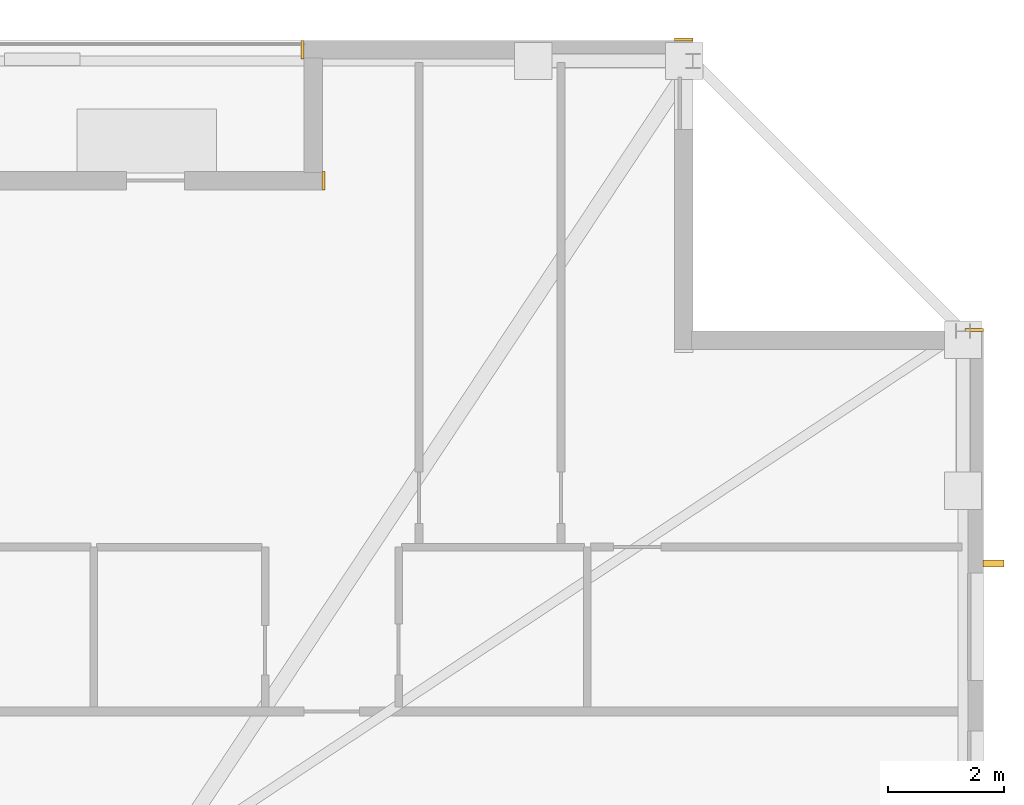
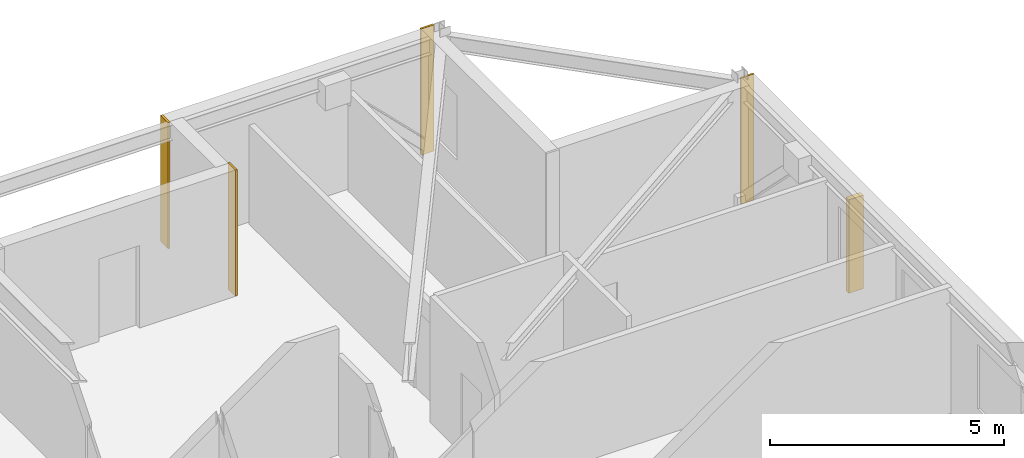
# One storey, part 17 of 17: 4 coverings, 1 shading device.
"""IFC4 building model written with IfcOpenShell, lengths in metres."""

from ifc_helpers import new_model, si_unit, direction, frame, frame_2d, origin, origin_2d, place, context, subcontext, project, spatial, rectangle, extrude, material, layer, layer_set, type_object, element, save


model = new_model("IFC4")

# Units and contexts
model_context = context("Model", 3, precision=1e-05, world=origin(), true_north=direction((0.0, 1.0)))
body_context = subcontext(model_context, "Body", "Model", "MODEL_VIEW")
ifc_project = project(units=[si_unit("LENGTHUNIT", "METRE"), si_unit("AREAUNIT", "SQUARE_METRE"), si_unit("VOLUMEUNIT", "CUBIC_METRE"), si_unit("PLANEANGLEUNIT", "RADIAN"), si_unit("MASSUNIT", "GRAM", prefix="KILO")], contexts=[model_context])

# Site, building, storey
site_placement = place(None, origin())
site = spatial("IfcSite", under=ifc_project, at=site_placement, CompositionType="ELEMENT")
building_placement = place(site_placement, origin())
building = spatial("IfcBuilding", under=site, at=building_placement, Name="Cairnveth Concourse Tower", CompositionType="ELEMENT")
storey_placement = place(building_placement, frame((0.0, 0.0, 202.5)))
storey = spatial("IfcBuildingStorey", under=building, at=storey_placement, Name="L55", CompositionType="ELEMENT", Elevation=202.5)

# Coverings
ifc_material_1 = material(Name="Dressed Melbourne Bluestone Cladding", Category="masonry")
ifc_layer = layer(ifc_material_1, 0.050048828125)
ifc_layer_set = layer_set([ifc_layer], Name="Dressed Melbourne Bluestone Cladding")
covering_type = type_object("IfcCoveringType", Name="DRESSED BLUESTONE PLINTH CLADDING 50", PredefinedType="CLADDING", material=ifc_layer_set)
for number, where, z_axis, x_axis, name in (
    (1, (62.780029296875, 61.179931640625, 0.0), (0.0, 0.0, 1.0), (0.0, 1.0, 0.0), "Melbourne Bluestone Corner Quoin L55-815"),
    (2, (69.179931640625, 61.52001953125, 0.0), (0.0, 0.0, 1.0), (1.0, 0.0, 0.0), "Melbourne Bluestone Corner Quoin L55-816"),
    (3, (74.179931640625, 56.52001953125, 0.0), (0.0, 0.0, 1.0), (1.0, 0.0, 0.0), "Melbourne Bluestone Corner Quoin L55-818"),
    (4, (63.139892578125, 58.929931640625, 0.0), (0.0, 0.0, 1.0), (0.0, 1.0, 0.0), "Melbourne Bluestone Corner Quoin L55-830"),
):
    element("IfcCovering", number, at=place(storey_placement, frame(where, z_axis=z_axis, x_axis=x_axis)), inside=storey, type_object=covering_type, Name=name, PredefinedType="CLADDING", context=body_context, shape_type="SweptSolid", body=[
        extrude(rectangle(XDim=0.320068359375, YDim=0.050048828125, at=frame_2d((0.16015625, 0.0))), origin(), (0.0, 0.0, 1.0), 3.2900390625),
    ])

# Shading device
ifc_material_2 = material(Name="Architectural Bronze Anodised Aluminium 6063-T6", Category="aluminium")
shading_device_type = type_object("IfcShadingDeviceType", Name="GOTHIC BRONZE VERTICAL LANCET FIN", PredefinedType="USERDEFINED", material=ifc_material_2)
shading_device_placement = place(storey_placement, frame((74.675048828125, 52.497314453125, 0.030029296875), z_axis=(0.0, 0.0, 1.0), x_axis=(0.0, 1.0, 0.0)))
element("IfcShadingDevice", 5, at=shading_device_placement, inside=storey, type_object=shading_device_type, Name="Gothic Bronze Vertical Fin L55-3-1", ObjectType="VERTICAL FIN", PredefinedType="USERDEFINED", context=body_context, shape_type="SweptSolid", body=[
    extrude(rectangle(XDim=0.1201171875, YDim=0.360107421875, at=origin_2d()), origin(), (0.0, 0.0, 1.0), 2.43798828125),
])

save(model, "model.ifc")
